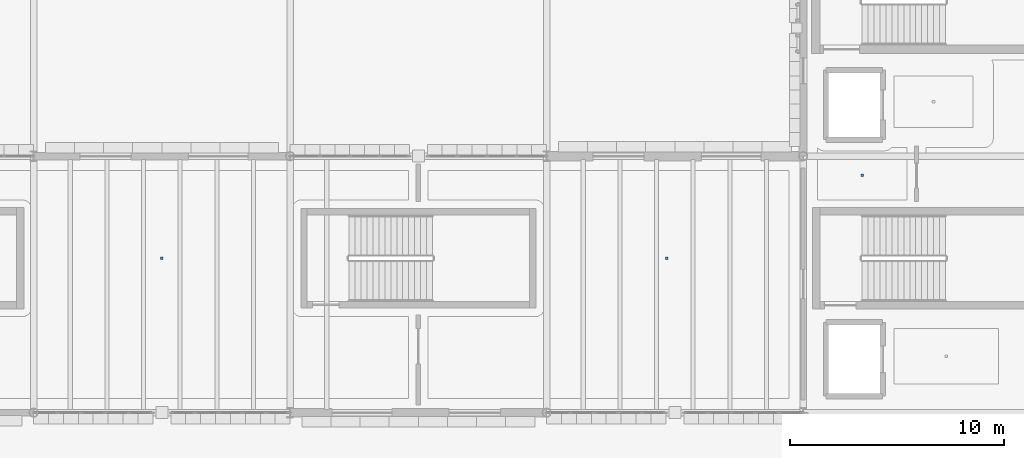
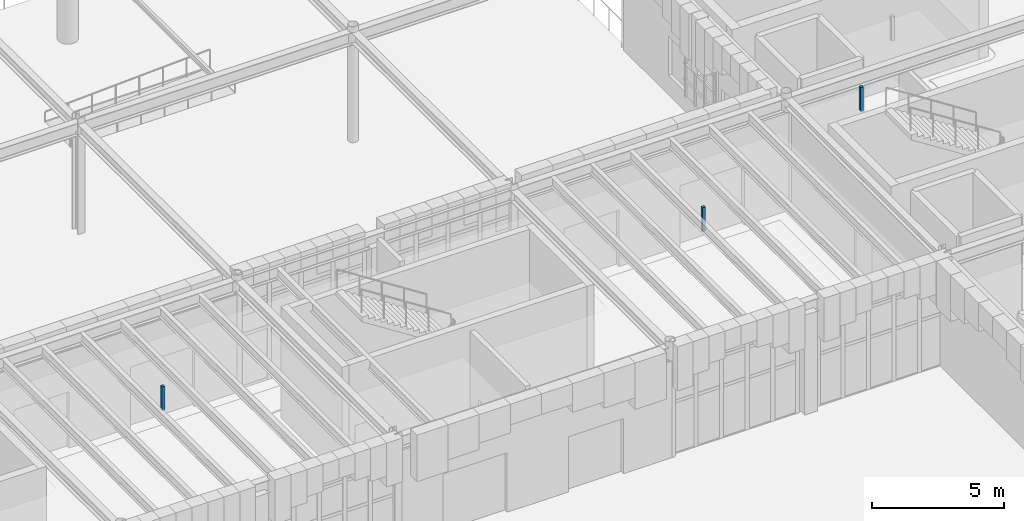
# One storey, part 63 of 103: 3 discrete accessories.
"""IFC4 building model written with IfcOpenShell, lengths in metres."""

import ifcopenshell
import ifcopenshell.guid

model = None  # the IFC model being written
_history = None  # IfcOwnerHistory: only IFC2X3 demands one
_inside = {}  # id of a spatial element -> (the spatial element, [elements in it])
_under = {}  # id of a project, library or spatial element -> (it, [spatial elements below it])
_declared = {}  # id of a project -> (the project, [libraries it declares])
_typed = {}  # id of a type object -> (the type object, [elements of that type])
_made_of = {}  # id of a material, layer set ... -> (it, [elements and type objects made of it])


def new_model(schema):
    """Start an empty IFC model of exactly this schema.

    Asked for "IFC4X3", IfcOpenShell would pick the latest addendum, in which some entities
    have other attributes; the version numbers below select the first issue.
    IFC2X3 requires an IfcOwnerHistory on every rooted entity: one is made here for all.
    """
    global model, _history
    if schema == "IFC4X3":
        model = ifcopenshell.file(schema_version=(4, 3, 0, 0))
    else:
        model = ifcopenshell.file(schema=schema)
    _inside.clear()
    _under.clear()
    _declared.clear()
    _typed.clear()
    _made_of.clear()
    _history = None
    if model.schema == "IFC2X3":
        org = make("IfcOrganization", Name="unknown")
        user = make(
            "IfcPersonAndOrganization",
            ThePerson=make("IfcPerson", FamilyName="unknown"),
            TheOrganization=org,
        )
        app = make(
            "IfcApplication",
            ApplicationDeveloper=org,
            Version="unknown",
            ApplicationFullName="unknown",
            ApplicationIdentifier="unknown",
        )
        _history = make(
            "IfcOwnerHistory",
            OwningUser=user,
            OwningApplication=app,
            ChangeAction="ADDED",
            CreationDate=0,
        )
    return model


def make(cls, **values):
    """One entity of the class cls with the attributes given. An attribute that is None is left unset."""
    return model.create_entity(
        cls, **{name: value for name, value in values.items() if value is not None}
    )


def rooted(cls, **values):
    """An entity with a GlobalId (a new one), such as an element, a storey or a relation."""
    return make(cls, GlobalId=ifcopenshell.guid.new(), OwnerHistory=_history, **values)


def si_unit(unit_type, name, prefix=None):
    """IfcSIUnit, for example si_unit("LENGTHUNIT", "METRE", prefix="MILLI")."""
    return make("IfcSIUnit", UnitType=unit_type, Prefix=prefix, Name=name)


def assignment(units):
    """IfcUnitAssignment: the units of a project."""
    return None if units is None else make("IfcUnitAssignment", Units=units)


def point(xyz):
    """IfcCartesianPoint."""
    return None if xyz is None else make("IfcCartesianPoint", Coordinates=xyz)


def direction(xyz):
    """IfcDirection."""
    return None if xyz is None else make("IfcDirection", DirectionRatios=xyz)


def frame(location, z_axis=None, x_axis=None):
    """IfcAxis2Placement3D, a coordinate frame: its origin and axes. An axis left out is left unset."""
    return make(
        "IfcAxis2Placement3D",
        Location=point(location),
        Axis=direction(z_axis),
        RefDirection=direction(x_axis),
    )


def frame_2d(location, x_axis=None):
    """IfcAxis2Placement2D, a coordinate frame in the plane: its origin and x axis."""
    return make(
        "IfcAxis2Placement2D", Location=point(location), RefDirection=direction(x_axis)
    )


def origin():
    """The frame at (0, 0, 0) with its axes left unset."""
    return frame((0.0, 0.0, 0.0))


def origin_2d():
    """The frame at (0, 0) in the plane with its x axis left unset."""
    return frame_2d((0.0, 0.0))


def place(relative_to, where):
    """IfcLocalPlacement: puts the frame where relative to a parent placement (None: the world)."""
    return make(
        "IfcLocalPlacement", PlacementRelTo=relative_to, RelativePlacement=where
    )


def context(
    kind, dimensions, precision=None, world=None, true_north=None, identifier=None
):
    """IfcGeometricRepresentationContext, for example the 3D "Model" context."""
    return make(
        "IfcGeometricRepresentationContext",
        ContextIdentifier=identifier,
        ContextType=kind,
        CoordinateSpaceDimension=dimensions,
        Precision=precision,
        WorldCoordinateSystem=world,
        TrueNorth=true_north,
    )


def subcontext(parent, identifier, kind, view, scale=None):
    """IfcGeometricRepresentationSubContext, for example "Body" below "Model"."""
    return make(
        "IfcGeometricRepresentationSubContext",
        ContextIdentifier=identifier,
        ContextType=kind,
        ParentContext=parent,
        TargetScale=scale,
        TargetView=view,
    )


def project(units=None, contexts=None):
    """IfcProject with its units and contexts."""
    return rooted(
        "IfcProject",
        Name="project",
        RepresentationContexts=contexts,
        UnitsInContext=assignment(units),
    )


def spatial(cls, under=None, at=None, **own):
    """A site, building, storey or space (cls), placed at a placement, below another one or the project."""
    s = rooted(cls, ObjectPlacement=at, **own)
    if under is not None:
        _under.setdefault(under.id(), (under, []))[1].append(s)
    return s


def profile(cls, at=None, kind="AREA", **sizes):
    """A parametric profile (cls). Its sizes go by their IFC names, for example OverallWidth=200.0."""
    return make(cls, ProfileType=kind, Position=at, **sizes)


def rectangle(**sizes):
    """IfcRectangleProfileDef."""
    return profile("IfcRectangleProfileDef", **sizes)


def extrude(swept, where, along, depth):
    """IfcExtrudedAreaSolid: the profile swept, set in the frame where, extruded along a direction by depth."""
    return make(
        "IfcExtrudedAreaSolid",
        SweptArea=swept,
        Position=where,
        ExtrudedDirection=direction(along),
        Depth=depth,
    )


def shape(context_of_items, identifier, shape_type, items):
    """IfcShapeRepresentation: the items that make up one representation, for example the "Body"."""
    return make(
        "IfcShapeRepresentation",
        ContextOfItems=context_of_items,
        RepresentationIdentifier=identifier,
        RepresentationType=shape_type,
        Items=items,
    )


def material(Name=None, Category=None):
    """IfcMaterial."""
    return make("IfcMaterial", Name=Name, Category=Category)


def made_of(thing, what):
    """Note that an element or type object is made of a material, layer set ...; save() writes the relation."""
    if what is not None:
        _made_of.setdefault(what.id(), (what, []))[1].append(thing)
    return thing


def type_object(cls, material=None, **own):
    """A type object (cls), such as IfcWallType, which elements share."""
    return made_of(rooted(cls, **own), material)


def element(
    cls,
    number,
    at=None,
    inside=None,
    cuts=None,
    type_object=None,
    material=None,
    context=None,
    identifier="Body",
    shape_type=None,
    held_by="IfcProductDefinitionShape",
    body=None,
    shapes=None,
    **own,
):
    """One element of the class cls, such as IfcWall. Its Tag is "e" and its number.

    at: its placement. inside: the storey or other place that contains it. cuts: it is an
    opening in that element (IfcRelVoidsElement). A single representation is given by context,
    identifier, shape_type and body (its items); several are given by shapes. held_by: the class
    of the entity that holds the representations. save() writes the other relations.
    """
    e = rooted(cls, Tag="e%d" % number, ObjectPlacement=at, **own)
    if body is not None:
        shapes = [shape(context, identifier, shape_type, body)]
    if shapes is not None:
        e.Representation = make(held_by, Representations=shapes)
    if inside is not None:
        _inside.setdefault(inside.id(), (inside, []))[1].append(e)
    if cuts is not None:
        rooted(
            "IfcRelVoidsElement", RelatingBuildingElement=cuts, RelatedOpeningElement=e
        )
    if type_object is not None:
        _typed.setdefault(type_object.id(), (type_object, []))[1].append(e)
    return made_of(e, material)


def aggregate(whole, parts):
    """IfcRelAggregates: a whole, such as a stair, and the parts it consists of."""
    return rooted("IfcRelAggregates", RelatingObject=whole, RelatedObjects=parts)


def save(model, path):
    """Write the relations noted so far, then the file.

    IfcRelAggregates (storeys below a building ...), IfcRelContainedInSpatialStructure (elements
    in a storey), IfcRelDefinesByType, IfcRelAssociatesMaterial and IfcRelDeclares: one each for
    every whole, place, type object, material and project.
    """
    for whole, parts in _under.values():
        aggregate(whole, parts)
    for where, things in _inside.values():
        rooted(
            "IfcRelContainedInSpatialStructure",
            RelatedElements=things,
            RelatingStructure=where,
        )
    for kind, things in _typed.values():
        rooted("IfcRelDefinesByType", RelatedObjects=things, RelatingType=kind)
    for what, things in _made_of.values():
        rooted("IfcRelAssociatesMaterial", RelatedObjects=things, RelatingMaterial=what)
    for by, libraries in _declared.values():
        rooted("IfcRelDeclares", RelatingContext=by, RelatedDefinitions=libraries)
    model.write(path)


model = new_model("IFC4")

# Units and contexts
model_context = context("Model", 3, precision=1e-05, world=origin(), true_north=direction((0.0, 1.0)))
body_context = subcontext(model_context, "Body", "Model", "MODEL_VIEW")
ifc_project = project(units=[si_unit("LENGTHUNIT", "METRE"), si_unit("AREAUNIT", "SQUARE_METRE"), si_unit("VOLUMEUNIT", "CUBIC_METRE"), si_unit("PLANEANGLEUNIT", "RADIAN"), si_unit("MASSUNIT", "GRAM", prefix="KILO")], contexts=[model_context])

# Site, building, storey
site_placement = place(None, origin())
site = spatial("IfcSite", under=ifc_project, at=site_placement, CompositionType="ELEMENT")
building_placement = place(site_placement, origin())
building = spatial("IfcBuilding", under=site, at=building_placement, Name="Zlatogorsky Bluff Art Gallery", CompositionType="ELEMENT")
storey_placement = place(building_placement, origin())
storey = spatial("IfcBuildingStorey", under=building, at=storey_placement, Name="L00", CompositionType="ELEMENT", Elevation=0.0)

# Discrete accessories
ifc_material = material(Name="Steel S355", Category="steel")
discrete_accessory_type = type_object("IfcDiscreteAccessoryType", Name="Stainless Facade Fin Bracket BRK-01", PredefinedType="BRACKET", material=ifc_material)
for number, where, z_axis, x_axis, name in (
    (1, (90.0, 91.22509765625, 4.05517578125), (0.0, 0.0, 1.0), (1.0, 0.0, 0.0), "Acoustic ceiling suspension hanger L00-C1-12"),
    (2, (113.6201171875, 91.22509765625, 4.05517578125), (0.0, 0.0, 1.0), (1.0, 0.0, 0.0), "Acoustic ceiling suspension hanger L00-C1-13"),
    (3, (122.762451171875, 95.10498046875, 4.05517578125), (0.0, 0.0, 1.0), (1.0, 0.0, 0.0), "Acoustic ceiling suspension hanger L00-ST-11"),
):
    element("IfcDiscreteAccessory", number, at=place(storey_placement, frame(where, z_axis=z_axis, x_axis=x_axis)), inside=storey, type_object=discrete_accessory_type, Name=name, PredefinedType="BRACKET", context=body_context, shape_type="SweptSolid", body=[
        extrude(rectangle(XDim=0.1201171875, YDim=0.1201171875, at=origin_2d()), origin(), (0.0, 0.0, 1.0), 1.110107421875),
    ])

save(model, "model.ifc")
